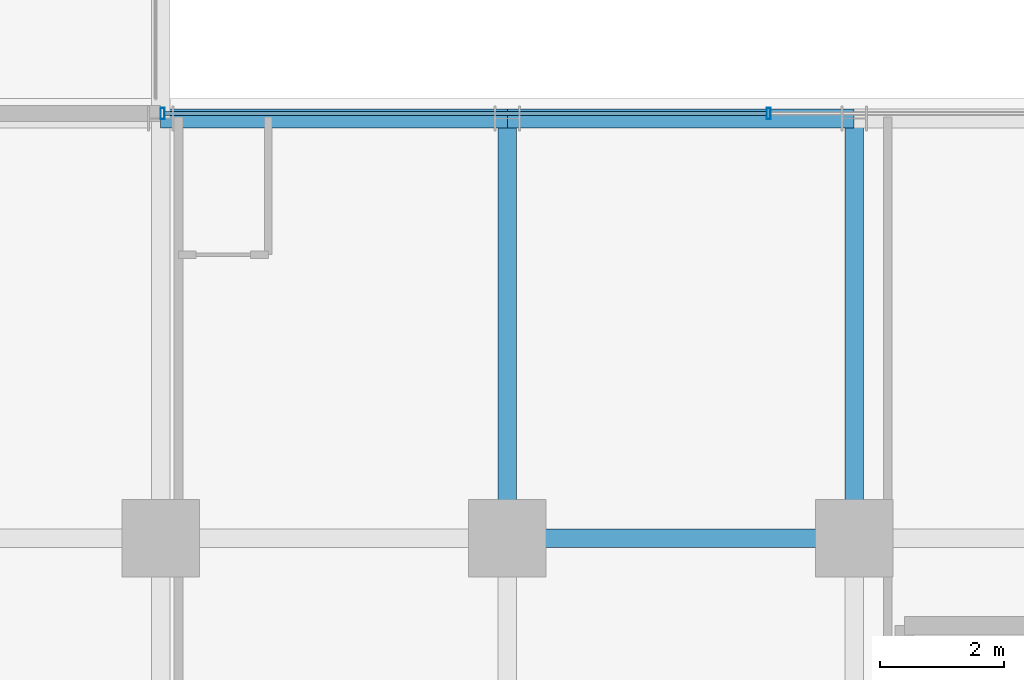
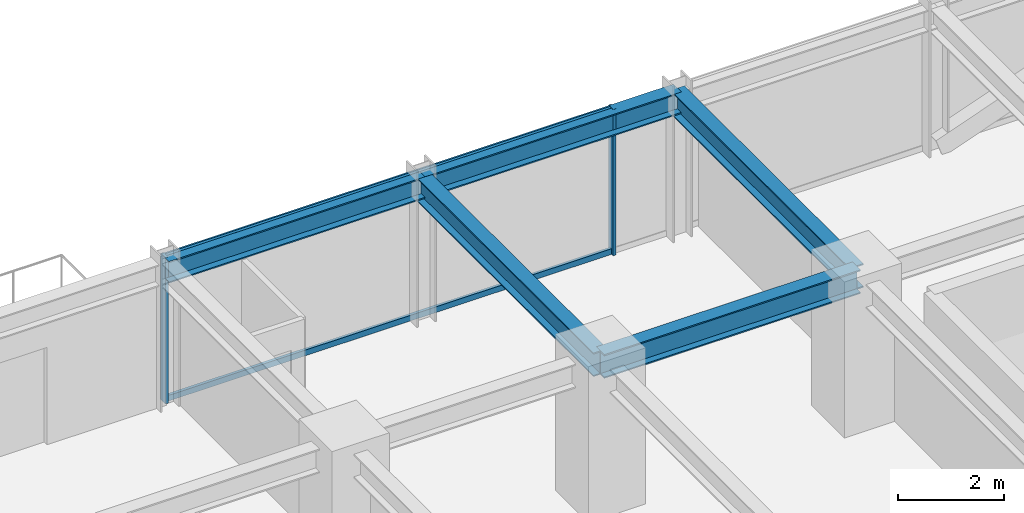
# One storey, part 21 of 35: 5 beams, 4 members, 1 element without a shape of its own.
"""IFC4 building model written with IfcOpenShell, lengths in metres."""

from ifc_helpers import new_model, si_unit, direction, frame, origin, origin_2d, place, context, subcontext, project, spatial, hollow_rectangle, i_section, extrude, source, transform, mapped, material, material_profile, profile_set, type_object, element, aggregate, save


model = new_model("IFC4")

# Units and contexts
model_context = context("Model", 3, precision=1e-05, world=origin(), true_north=direction((0.0, 1.0)))
body_context = subcontext(model_context, "Body", "Model", "MODEL_VIEW")
ifc_project = project(units=[si_unit("LENGTHUNIT", "METRE"), si_unit("AREAUNIT", "SQUARE_METRE"), si_unit("VOLUMEUNIT", "CUBIC_METRE"), si_unit("PLANEANGLEUNIT", "RADIAN"), si_unit("MASSUNIT", "GRAM", prefix="KILO")], contexts=[model_context])

# Site, building, storey
site_placement = place(None, origin())
site = spatial("IfcSite", under=ifc_project, at=site_placement, CompositionType="ELEMENT")
building_placement = place(site_placement, origin())
building = spatial("IfcBuilding", under=site, at=building_placement, Name="Nahalor Promenade Grand Hotel", CompositionType="ELEMENT")
storey_placement = place(building_placement, frame((0.0, 0.0, 121.14990234375)))
storey = spatial("IfcBuildingStorey", under=building, at=storey_placement, Name="L30", CompositionType="ELEMENT", Elevation=121.14990234375)

# Beams
ifc_material_1 = material(Name="Steel S355JR", Category="steel")
ifc_material_profile_1 = material_profile(ifc_material_1, i_section(OverallWidth=0.3, OverallDepth=0.5, WebThickness=0.0145, FlangeThickness=0.028, at=origin_2d()), Name="HEB 500")
ifc_profile_set_1 = profile_set([ifc_material_profile_1], Name="Steel S355JR")
beam_type_1 = type_object("IfcBeamType", Name="Beam-Spandrel-HEB500", PredefinedType="SPANDREL", material=ifc_profile_set_1)
shared_shape_1 = source(origin(), body_context, "Body", "SweptSolid", [
    extrude(i_section(OverallWidth=0.3, OverallDepth=0.5, WebThickness=0.0145, FlangeThickness=0.028, at=origin_2d()), origin(), (0.0, 0.0, 1.0), 5.599853515625),
])
beam_1_placement = place(storey_placement, frame((-8.39990234375, 23.780029296875, 3.130126953125), z_axis=(1.0, 0.0, 0.0), x_axis=(0.0, 1.0, 0.0)))
element("IfcBeam", 1, at=beam_1_placement, inside=storey, type_object=beam_type_1, Name="BM-L30-SP-N-1", PredefinedType="SPANDREL", context=body_context, shape_type="MappedRepresentation", body=[
    mapped(shared_shape_1, transform((0.0, 0.0, 0.0), scale=1.0)),
])
shared_shape_2 = source(origin(), body_context, "Body", "SweptSolid", [
    extrude(i_section(OverallWidth=0.3, OverallDepth=0.5, WebThickness=0.0145, FlangeThickness=0.028, at=origin_2d()), origin(), (0.0, 0.0, 1.0), 5.60009765625),
])
beam_2_placement = place(storey_placement, frame((-2.800048828125, 23.780029296875, 3.130126953125), z_axis=(1.0, 0.0, 0.0), x_axis=(0.0, 1.0, 0.0)))
element("IfcBeam", 2, at=beam_2_placement, inside=storey, type_object=beam_type_1, Name="BM-L30-SP-N-2", PredefinedType="SPANDREL", context=body_context, shape_type="MappedRepresentation", body=[
    mapped(shared_shape_2, transform((0.0, 0.0, 0.0), scale=1.0)),
])
ifc_material_profile_2 = material_profile(ifc_material_1, i_section(OverallWidth=0.3, OverallDepth=0.55, WebThickness=0.015, FlangeThickness=0.029, at=origin_2d()), Name="HEB 550")
ifc_profile_set_2 = profile_set([ifc_material_profile_2], Name="Steel S355JR")
beam_type_2 = type_object("IfcBeamType", Name="Beam-Girder-HEB550", PredefinedType="BEAM", material=ifc_profile_set_2)
shared_shape_3 = source(origin(), body_context, "Body", "SweptSolid", [
    extrude(i_section(OverallWidth=0.3, OverallDepth=0.55, WebThickness=0.015, FlangeThickness=0.029, at=origin_2d()), origin(), (0.0, 0.0, 1.0), 6.780029296875),
])
for number, where, z_axis, x_axis, name in (
    (3, (-2.800048828125, 17.0, 3.10498046875), (0.0, 1.0, 0.0), (-1.0, 0.0, 0.0), "BM-L30-GY-2-4"),
    (4, (2.800048828125, 17.0, 3.10498046875), (0.0, 1.0, 0.0), (-1.0, 0.0, 0.0), "BM-L30-GY-3-4"),
):
    element("IfcBeam", number, at=place(storey_placement, frame(where, z_axis=z_axis, x_axis=x_axis)), inside=storey, type_object=beam_type_2, Name=name, PredefinedType="BEAM", context=body_context, shape_type="MappedRepresentation", body=[
        mapped(shared_shape_3, transform((0.0, 0.0, 0.0), scale=1.0)),
    ])
shared_shape_4 = source(origin(), body_context, "Body", "SweptSolid", [
    extrude(i_section(OverallWidth=0.3, OverallDepth=0.55, WebThickness=0.015, FlangeThickness=0.029, at=origin_2d()), origin(), (0.0, 0.0, 1.0), 5.60009765625),
])
beam_3_placement = place(storey_placement, frame((-2.800048828125, 17.0, 3.10498046875), z_axis=(1.0, 0.0, 0.0), x_axis=(0.0, 1.0, 0.0)))
element("IfcBeam", 5, at=beam_3_placement, inside=storey, type_object=beam_type_2, Name="BM-L30-GX-3-3", PredefinedType="BEAM", context=body_context, shape_type="MappedRepresentation", body=[
    mapped(shared_shape_4, transform((0.0, 0.0, 0.0), scale=1.0)),
])

# Curtain wall, members
ifc_material_2 = material(Name="Anodised Bronze Aluminium EN AW-6063 T6", Category="aluminium")
curtain_wall_type = type_object("IfcCurtainWallType", Name="CW2 Typical Hotel Flush Bronze Unitised Curtain Wall", PredefinedType="USERDEFINED", material=ifc_material_2)
curtain_wall_placement = place(storey_placement, origin())
curtain_wall = element("IfcCurtainWall", 6, at=curtain_wall_placement, inside=storey, type_object=curtain_wall_type, Name="L30 Curtain Wall CW-L30-N-3", ObjectType="UNITISED_CURTAIN_WALL", PredefinedType="USERDEFINED")
ifc_material_profile_3 = material_profile(ifc_material_2, hollow_rectangle(XDim=0.065, YDim=0.13, WallThickness=0.004, at=origin_2d()), Name="CWT 65x130x4")
ifc_profile_set_3 = profile_set([ifc_material_profile_3], Name="Anodised Bronze Aluminium EN AW-6063 T6")
member_type_1 = type_object("IfcMemberType", Name="CWT2 Typical Bronze Transom 65x130", PredefinedType="USERDEFINED", material=ifc_profile_set_3)
shared_shape_5 = source(origin(), body_context, "Body", "SweptSolid", [
    extrude(hollow_rectangle(XDim=0.065, YDim=0.13, WallThickness=0.004, at=origin_2d()), origin(), (0.0, 0.0, 1.0), 9.722412109375),
])
member_1_placement = place(storey_placement, frame((-8.3349609375, 23.860107421875, 0.065185546875), z_axis=(1.0, 0.0, 0.0), x_axis=(0.0, 1.0, 0.0)))
member_1 = element("IfcMember", 7, at=member_1_placement, type_object=member_type_1, Name="CW-L30-N-3 Transom 0-0", ObjectType="TRANSOM", PredefinedType="USERDEFINED", context=body_context, shape_type="MappedRepresentation", body=[
    mapped(shared_shape_5, transform((0.0, 0.0, 0.0), scale=1.0)),
])
member_2_placement = place(storey_placement, frame((-8.3349609375, 23.860107421875, 3.315185546875), z_axis=(1.0, 0.0, 0.0), x_axis=(0.0, 1.0, 0.0)))
member_2 = element("IfcMember", 8, at=member_2_placement, type_object=member_type_1, Name="CW-L30-N-3 Transom 0-1", ObjectType="TRANSOM", PredefinedType="USERDEFINED", context=body_context, shape_type="MappedRepresentation", body=[
    mapped(shared_shape_5, transform((0.0, 0.0, 0.0), scale=1.0)),
])
ifc_material_profile_4 = material_profile(ifc_material_2, hollow_rectangle(XDim=0.065, YDim=0.18, WallThickness=0.004, at=origin_2d()), Name="CWM 65x180x4")
ifc_profile_set_4 = profile_set([ifc_material_profile_4], Name="Anodised Bronze Aluminium EN AW-6063 T6")
member_type_2 = type_object("IfcMemberType", Name="CWM2 Typical Bronze Mullion 65x180", PredefinedType="MULLION", material=ifc_profile_set_4)
shared_shape_6 = source(origin(), body_context, "Body", "SweptSolid", [
    extrude(hollow_rectangle(XDim=0.065, YDim=0.18, WallThickness=0.004, at=origin_2d()), origin(), (0.0, 0.0, 1.0), 3.380126953125),
])
member_3_placement = place(storey_placement, frame((-8.367431640625, 23.860107421875, 0.0), z_axis=(0.0, 0.0, 1.0), x_axis=(1.0, 0.0, 0.0)))
member_3 = element("IfcMember", 9, at=member_3_placement, type_object=member_type_2, Name="CW-L30-N-3 Mullion 0", PredefinedType="MULLION", context=body_context, shape_type="MappedRepresentation", body=[
    mapped(shared_shape_6, transform((0.0, 0.0, 0.0), scale=1.0)),
])
member_4_placement = place(storey_placement, frame((1.419921875, 23.860107421875, 0.0), z_axis=(0.0, 0.0, 1.0), x_axis=(1.0, 0.0, 0.0)))
member_4 = element("IfcMember", 10, at=member_4_placement, type_object=member_type_2, Name="CW-L30-N-3 Mullion 1", PredefinedType="MULLION", context=body_context, shape_type="MappedRepresentation", body=[
    mapped(shared_shape_6, transform((0.0, 0.0, 0.0), scale=1.0)),
])
aggregate(curtain_wall, [member_3, member_4, member_1, member_2])

save(model, "model.ifc")
